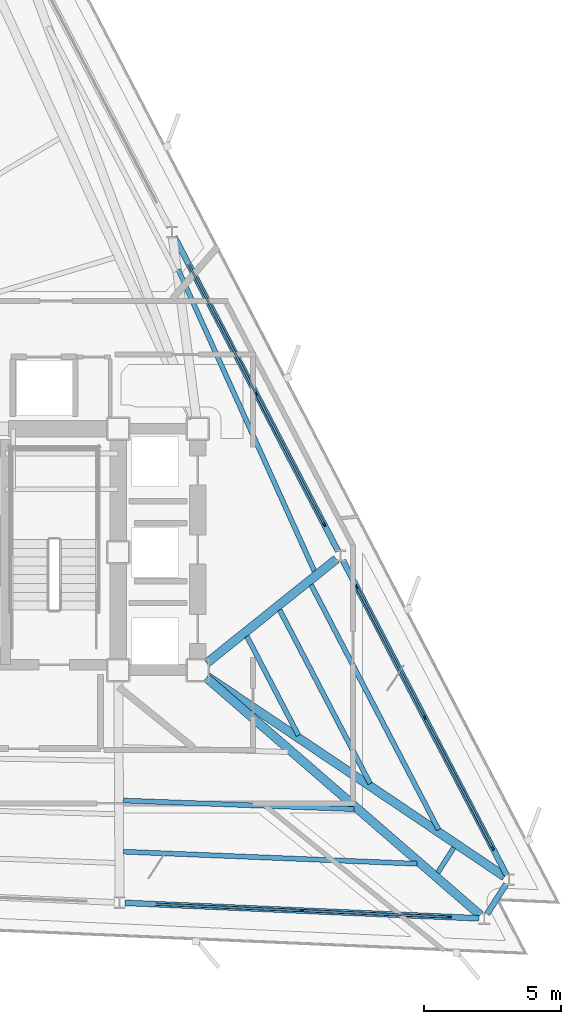
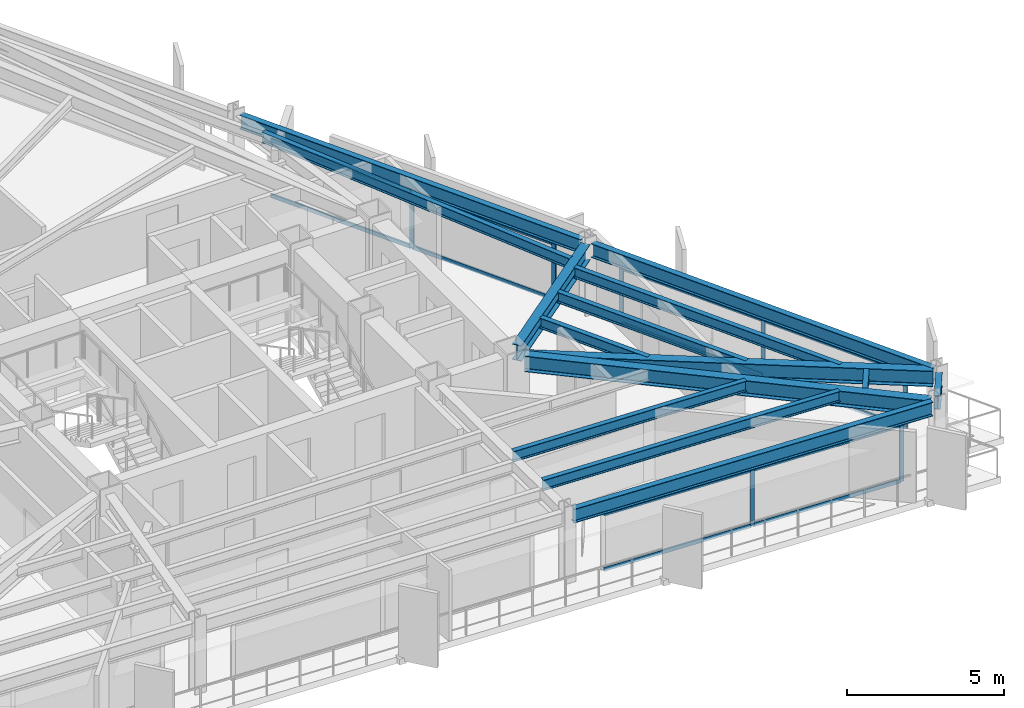
# One storey, part 5 of 12: 19 members, 14 beams, 3 elements without a shape of their own.
"""IFC4 building model written with IfcOpenShell, lengths in metres."""

from ifc_helpers import new_model, si_unit, direction, frame, origin, origin_2d, place, context, subcontext, project, spatial, rectangle, i_section, extrude, material, layer, layer_set, material_profile, profile_set, type_object, element, aggregate, save


model = new_model("IFC4")

# Units and contexts
model_context = context("Model", 3, precision=1e-05, world=origin(), true_north=direction((0.0, 1.0)))
body_context = subcontext(model_context, "Body", "Model", "MODEL_VIEW")
ifc_project = project(units=[si_unit("LENGTHUNIT", "METRE"), si_unit("AREAUNIT", "SQUARE_METRE"), si_unit("VOLUMEUNIT", "CUBIC_METRE"), si_unit("PLANEANGLEUNIT", "RADIAN"), si_unit("MASSUNIT", "GRAM", prefix="KILO")], contexts=[model_context])

# Site, building, storey
site_placement = place(None, origin())
site = spatial("IfcSite", under=ifc_project, at=site_placement, CompositionType="ELEMENT")
building_placement = place(site_placement, origin())
building = spatial("IfcBuilding", under=site, at=building_placement, Name="Rocaltana Carrier Exchange", CompositionType="ELEMENT")
storey_placement = place(building_placement, frame((0.0, 0.0, 128.9599609375)))
storey = spatial("IfcBuildingStorey", under=building, at=storey_placement, Name="L40", CompositionType="ELEMENT", Elevation=128.9599609375)

# Curtain wall, members
ifc_material_1 = material(Name="Aluminium 6063-T6", Category="aluminium")
ifc_layer = layer(ifc_material_1, 0.14990234375)
ifc_layer_set = layer_set([ifc_layer], Name="Aluminium 6063-T6")
curtain_wall_type = type_object("IfcCurtainWallType", Name="Mid-Tower Unitised Curtain Wall CW-03", PredefinedType="NOTDEFINED", material=ifc_layer_set)
curtain_wall_1_placement = place(storey_placement, origin())
curtain_wall_1 = element("IfcCurtainWall", 1, at=curtain_wall_1_placement, inside=storey, type_object=curtain_wall_type, Name="L40 CW-03 Run CW-L40-F1S1", PredefinedType="NOTDEFINED")
ifc_material_2 = material(Name="Aluminium 6063-T6", Category="aluminium")
ifc_material_profile_1 = material_profile(ifc_material_2, rectangle(XDim=0.06005859375, YDim=0.14990234375, at=origin_2d()), Name="AL-60X150")
ifc_profile_set_1 = profile_set([ifc_material_profile_1], Name="Aluminium 6063-T6")
member_type_1 = type_object("IfcMemberType", Name="CW-03 Mullion AL-60X150", PredefinedType="MULLION", material=ifc_profile_set_1)
member_1_placement = place(storey_placement, frame((19.700439453125, -10.792724609375, 0.0), z_axis=(0.0, 0.0, 1.0), x_axis=(-0.887009929614, -0.461750348962, 0.0)))
member_1 = element("IfcMember", 2, at=member_1_placement, type_object=member_type_1, Name="CW-03 mullion 1", PredefinedType="MULLION", context=body_context, shape_type="SweptSolid", body=[
    extrude(rectangle(XDim=0.06005859375, YDim=0.14990234375, at=origin_2d()), origin(), (0.0, 0.0, 1.0), 2.218017578125),
])
member_2_placement = place(storey_placement, frame((17.220947265625, -6.029541015625, 0.0), z_axis=(0.0, 0.0, 1.0), x_axis=(-0.887009929614, -0.461750348962, 0.0)))
member_2 = element("IfcMember", 3, at=member_2_placement, type_object=member_type_1, Name="CW-03 mullion 2", PredefinedType="MULLION", context=body_context, shape_type="SweptSolid", body=[
    extrude(rectangle(XDim=0.06005859375, YDim=0.14990234375, at=origin_2d()), origin(), (0.0, 0.0, 1.0), 2.218017578125),
])
member_3_placement = place(storey_placement, frame((14.7412109375, -1.266357421875, 0.0), z_axis=(0.0, 0.0, 1.0), x_axis=(-0.887009929614, -0.461750348962, 0.0)))
member_3 = element("IfcMember", 4, at=member_3_placement, type_object=member_type_1, Name="CW-03 mullion 3", PredefinedType="MULLION", context=body_context, shape_type="SweptSolid", body=[
    extrude(rectangle(XDim=0.06005859375, YDim=0.14990234375, at=origin_2d()), origin(), (0.0, 0.0, 1.0), 2.218017578125),
])

curtain_wall_2_placement = place(storey_placement, origin())
curtain_wall_2 = element("IfcCurtainWall", 5, at=curtain_wall_2_placement, inside=storey, type_object=curtain_wall_type, Name="L40 CW-03 Run CW-L40-F1S2", PredefinedType="NOTDEFINED")
member_4_placement = place(storey_placement, frame((13.55908203125, 1.00439453125, 0.0), z_axis=(0.0, 0.0, 1.0), x_axis=(-0.887011747812, -0.461746856235, 0.0)))
member_4 = element("IfcMember", 6, at=member_4_placement, type_object=member_type_1, Name="CW-03 mullion 1", PredefinedType="MULLION", context=body_context, shape_type="SweptSolid", body=[
    extrude(rectangle(XDim=0.06005859375, YDim=0.14990234375, at=origin_2d()), origin(), (0.0, 0.0, 1.0), 2.218017578125),
])
member_5_placement = place(storey_placement, frame((11.07958984375, 5.767578125, 0.0), z_axis=(0.0, 0.0, 1.0), x_axis=(-0.887011747812, -0.461746856235, 0.0)))
member_5 = element("IfcMember", 7, at=member_5_placement, type_object=member_type_1, Name="CW-03 mullion 2", PredefinedType="MULLION", context=body_context, shape_type="SweptSolid", body=[
    extrude(rectangle(XDim=0.06005859375, YDim=0.14990234375, at=origin_2d()), origin(), (0.0, 0.0, 1.0), 2.218017578125),
])

curtain_wall_3_placement = place(storey_placement, origin())
curtain_wall_3 = element("IfcCurtainWall", 8, at=curtain_wall_3_placement, inside=storey, type_object=curtain_wall_type, Name="L40 CW-03 Run CW-L40-F3S3", PredefinedType="NOTDEFINED")
member_6_placement = place(storey_placement, frame((12.742431640625, -13.05908203125, 0.0), z_axis=(0.0, 0.0, 1.0), x_axis=(0.043629290456, 0.999047789154, 0.0)))
member_6 = element("IfcMember", 9, at=member_6_placement, type_object=member_type_1, Name="CW-03 mullion 2", PredefinedType="MULLION", context=body_context, shape_type="SweptSolid", body=[
    extrude(rectangle(XDim=0.06005859375, YDim=0.14990234375, at=origin_2d()), origin(), (0.0, 0.0, 1.0), 2.218017578125),
])
member_7_placement = place(storey_placement, frame((18.107421875, -13.29345703125, 0.0), z_axis=(0.0, 0.0, 1.0), x_axis=(0.043629290456, 0.999047789154, 0.0)))
member_7 = element("IfcMember", 10, at=member_7_placement, type_object=member_type_1, Name="CW-03 mullion 3", PredefinedType="MULLION", context=body_context, shape_type="SweptSolid", body=[
    extrude(rectangle(XDim=0.06005859375, YDim=0.14990234375, at=origin_2d()), origin(), (0.0, 0.0, 1.0), 2.218017578125),
])

# Member
ifc_material_3 = material(Name="Aluminium 6063-T6", Category="aluminium")
ifc_material_profile_2 = material_profile(ifc_material_3, rectangle(XDim=0.06005859375, YDim=0.14990234375, at=origin_2d()), Name="AL-60X150")
ifc_profile_set_2 = profile_set([ifc_material_profile_2], Name="Aluminium 6063-T6")
member_type_2 = type_object("IfcMemberType", Name="CW-03 Transom AL-60X150", PredefinedType="USERDEFINED", material=ifc_profile_set_2)
member_8_placement = place(storey_placement, frame((19.6865234375, -10.76611328125, 0.030029296875), z_axis=(-0.461756588365, 0.887006681543, 0.0), x_axis=(-0.887006681543, -0.461756588365, 0.0)))
member_8 = element("IfcMember", 11, at=member_8_placement, type_object=member_type_2, Name="CW-03 transom 1.1", ObjectType="TRANSOM", PredefinedType="USERDEFINED", context=body_context, shape_type="SweptSolid", body=[
    extrude(rectangle(XDim=0.06005859375, YDim=0.14990234375, at=origin_2d()), origin(), (0.0, 0.0, 1.0), 5.31005859375),
])

member_9_placement = place(storey_placement, frame((19.6865234375, -10.76611328125, 2.18798828125), z_axis=(-0.461756588365, 0.887006681543, 0.0), x_axis=(-0.887006681543, -0.461756588365, 0.0)))
member_9 = element("IfcMember", 12, at=member_9_placement, type_object=member_type_2, Name="CW-03 transom 1.2", ObjectType="TRANSOM", PredefinedType="USERDEFINED", context=body_context, shape_type="SweptSolid", body=[
    extrude(rectangle(XDim=0.06005859375, YDim=0.14990234375, at=origin_2d()), origin(), (0.0, 0.0, 1.0), 5.31005859375),
])

member_10_placement = place(storey_placement, frame((17.20703125, -6.0029296875, 0.030029296875), z_axis=(-0.461756588365, 0.887006681543, 0.0), x_axis=(-0.887006681543, -0.461756588365, 0.0)))
member_10 = element("IfcMember", 13, at=member_10_placement, type_object=member_type_2, Name="CW-03 transom 2.1", ObjectType="TRANSOM", PredefinedType="USERDEFINED", context=body_context, shape_type="SweptSolid", body=[
    extrude(rectangle(XDim=0.06005859375, YDim=0.14990234375, at=origin_2d()), origin(), (0.0, 0.0, 1.0), 5.31005859375),
])

member_11_placement = place(storey_placement, frame((17.20703125, -6.0029296875, 2.18798828125), z_axis=(-0.461756588365, 0.887006681543, 0.0), x_axis=(-0.887006681543, -0.461756588365, 0.0)))
member_11 = element("IfcMember", 14, at=member_11_placement, type_object=member_type_2, Name="CW-03 transom 2.2", ObjectType="TRANSOM", PredefinedType="USERDEFINED", context=body_context, shape_type="SweptSolid", body=[
    extrude(rectangle(XDim=0.06005859375, YDim=0.14990234375, at=origin_2d()), origin(), (0.0, 0.0, 1.0), 5.31005859375),
])

aggregate(curtain_wall_1, [member_1, member_2, member_3, member_8, member_9, member_10, member_11])

member_12_placement = place(storey_placement, frame((13.54541015625, 1.031005859375, 0.030029296875), z_axis=(-0.461737757324, 0.887016484323, 0.0), x_axis=(-0.887016484323, -0.461737757324, 0.0)))
member_12 = element("IfcMember", 15, at=member_12_placement, type_object=member_type_2, Name="CW-03 transom 1.1", ObjectType="TRANSOM", PredefinedType="USERDEFINED", context=body_context, shape_type="SweptSolid", body=[
    extrude(rectangle(XDim=0.06005859375, YDim=0.14990234375, at=origin_2d()), origin(), (0.0, 0.0, 1.0), 5.31005859375),
])

member_13_placement = place(storey_placement, frame((13.54541015625, 1.031005859375, 2.18798828125), z_axis=(-0.461737757324, 0.887016484323, 0.0), x_axis=(-0.887016484323, -0.461737757324, 0.0)))
member_13 = element("IfcMember", 16, at=member_13_placement, type_object=member_type_2, Name="CW-03 transom 1.2", ObjectType="TRANSOM", PredefinedType="USERDEFINED", context=body_context, shape_type="SweptSolid", body=[
    extrude(rectangle(XDim=0.06005859375, YDim=0.14990234375, at=origin_2d()), origin(), (0.0, 0.0, 1.0), 5.31005859375),
])

member_14_placement = place(storey_placement, frame((11.065673828125, 5.794189453125, 0.030029296875), z_axis=(-0.461701582275, 0.887035314362, 0.0), x_axis=(-0.887035314362, -0.461701582275, 0.0)))
member_14 = element("IfcMember", 17, at=member_14_placement, type_object=member_type_2, Name="CW-03 transom 2.1", ObjectType="TRANSOM", PredefinedType="USERDEFINED", context=body_context, shape_type="SweptSolid", body=[
    extrude(rectangle(XDim=0.06005859375, YDim=0.14990234375, at=origin_2d()), origin(), (0.0, 0.0, 1.0), 5.31005859375),
])

member_15_placement = place(storey_placement, frame((11.065673828125, 5.794189453125, 2.18798828125), z_axis=(-0.461701582275, 0.887035314362, 0.0), x_axis=(-0.887035314362, -0.461701582275, 0.0)))
member_15 = element("IfcMember", 18, at=member_15_placement, type_object=member_type_2, Name="CW-03 transom 2.2", ObjectType="TRANSOM", PredefinedType="USERDEFINED", context=body_context, shape_type="SweptSolid", body=[
    extrude(rectangle(XDim=0.06005859375, YDim=0.14990234375, at=origin_2d()), origin(), (0.0, 0.0, 1.0), 5.31005859375),
])

aggregate(curtain_wall_2, [member_4, member_5, member_12, member_13, member_14, member_15])

member_16_placement = place(storey_placement, frame((7.407470703125, -12.826171875, 0.030029296875), z_axis=(0.999047725225, -0.043630754314, 0.0), x_axis=(0.043630754314, 0.999047725225, 0.0)))
member_16 = element("IfcMember", 19, at=member_16_placement, type_object=member_type_2, Name="CW-03 transom 1.1", ObjectType="TRANSOM", PredefinedType="USERDEFINED", context=body_context, shape_type="SweptSolid", body=[
    extrude(rectangle(XDim=0.06005859375, YDim=0.14990234375, at=origin_2d()), origin(), (0.0, 0.0, 1.0), 5.310302734375),
])

member_17_placement = place(storey_placement, frame((7.407470703125, -12.826171875, 2.18798828125), z_axis=(0.999047725225, -0.043630754314, 0.0), x_axis=(0.043630754314, 0.999047725225, 0.0)))
member_17 = element("IfcMember", 20, at=member_17_placement, type_object=member_type_2, Name="CW-03 transom 1.2", ObjectType="TRANSOM", PredefinedType="USERDEFINED", context=body_context, shape_type="SweptSolid", body=[
    extrude(rectangle(XDim=0.06005859375, YDim=0.14990234375, at=origin_2d()), origin(), (0.0, 0.0, 1.0), 5.310302734375),
])

member_18_placement = place(storey_placement, frame((12.7724609375, -13.060546875, 0.030029296875), z_axis=(0.999047637698, -0.043632758442, 0.0), x_axis=(0.043632758442, 0.999047637698, 0.0)))
member_18 = element("IfcMember", 21, at=member_18_placement, type_object=member_type_2, Name="CW-03 transom 2.1", ObjectType="TRANSOM", PredefinedType="USERDEFINED", context=body_context, shape_type="SweptSolid", body=[
    extrude(rectangle(XDim=0.06005859375, YDim=0.14990234375, at=origin_2d()), origin(), (0.0, 0.0, 1.0), 5.31005859375),
])

member_19_placement = place(storey_placement, frame((12.7724609375, -13.060546875, 2.18798828125), z_axis=(0.999047637698, -0.043632758442, 0.0), x_axis=(0.043632758442, 0.999047637698, 0.0)))
member_19 = element("IfcMember", 22, at=member_19_placement, type_object=member_type_2, Name="CW-03 transom 2.2", ObjectType="TRANSOM", PredefinedType="USERDEFINED", context=body_context, shape_type="SweptSolid", body=[
    extrude(rectangle(XDim=0.06005859375, YDim=0.14990234375, at=origin_2d()), origin(), (0.0, 0.0, 1.0), 5.31005859375),
])

aggregate(curtain_wall_3, [member_6, member_7, member_16, member_17, member_18, member_19])

# Beams
ifc_material_4 = material(Name="Steel S355", Category="steel")
ifc_material_profile_3 = material_profile(ifc_material_4, i_section(OverallWidth=0.179931640625, OverallDepth=0.4130859375, WebThickness=0.009765625, FlangeThickness=0.01611328125, FilletRadius=0.012939453125, at=origin_2d()), Name="W16X50")
ifc_profile_set_3 = profile_set([ifc_material_profile_3], Name="Steel S355")
beam_type_1 = type_object("IfcBeamType", Name="Floor Joist W16X50", PredefinedType="JOIST", material=ifc_profile_set_3)
beam_1_placement = place(storey_placement, frame((12.62060546875, -6.678955078125, 2.58154296875), z_axis=(-0.461741088253, 0.887014750395, 0.0), x_axis=(-0.887014750395, -0.461741088253, 0.0)))
element("IfcBeam", 23, at=beam_1_placement, inside=storey, type_object=beam_type_1, Name="FJ-L40-01-1", PredefinedType="JOIST", context=body_context, shape_type="SweptSolid", body=[
    extrude(i_section(OverallWidth=0.179931640625, OverallDepth=0.4130859375, WebThickness=0.009765625, FlangeThickness=0.01611328125, FilletRadius=0.012939453125, at=origin_2d()), origin(), (0.0, 0.0, 1.0), 4.0771484375),
])
beam_2_placement = place(storey_placement, frame((15.229248046875, -8.433349609375, 2.58154296875), z_axis=(-0.461769572887, 0.886999921959, 0.0), x_axis=(-0.886999921959, -0.461769572887, 0.0)))
element("IfcBeam", 24, at=beam_2_placement, inside=storey, type_object=beam_type_1, Name="FJ-L40-01-2", PredefinedType="JOIST", context=body_context, shape_type="SweptSolid", body=[
    extrude(i_section(OverallWidth=0.179931640625, OverallDepth=0.4130859375, WebThickness=0.009765625, FlangeThickness=0.01611328125, FilletRadius=0.012939453125, at=origin_2d()), origin(), (0.0, 0.0, 1.0), 7.135986328125),
])
beam_3_placement = place(storey_placement, frame((17.724365234375, -10.111572265625, 2.58154296875), z_axis=(-0.461760646449, 0.88700456898, 0.0), x_axis=(-0.88700456898, -0.461760646449, 0.0)))
element("IfcBeam", 25, at=beam_3_placement, inside=storey, type_object=beam_type_1, Name="FJ-L40-01-3", PredefinedType="JOIST", context=body_context, shape_type="SweptSolid", body=[
    extrude(i_section(OverallWidth=0.179931640625, OverallDepth=0.4130859375, WebThickness=0.009765625, FlangeThickness=0.01611328125, FilletRadius=0.012939453125, at=origin_2d()), origin(), (0.0, 0.0, 1.0), 10.06201171875),
])
beam_4_placement = place(storey_placement, frame((13.201904296875, -0.697509765625, 2.58154296875), z_axis=(-0.41154987929, 0.911387237598, 0.0), x_axis=(-0.911387237598, -0.41154987929, 0.0)))
element("IfcBeam", 26, at=beam_4_placement, inside=storey, type_object=beam_type_1, Name="FJ-L40-02-3", PredefinedType="JOIST", context=body_context, shape_type="SweptSolid", body=[
    extrude(i_section(OverallWidth=0.179931640625, OverallDepth=0.4130859375, WebThickness=0.009765625, FlangeThickness=0.01611328125, FilletRadius=0.012939453125, at=origin_2d()), origin(), (0.0, 0.0, 1.0), 12.0732421875),
])
beam_5_placement = place(storey_placement, frame((6.233154296875, -9.048583984375, 2.58154296875), z_axis=(0.999306338381, -0.037240328574, 0.0), x_axis=(0.037240328574, 0.999306338381, 0.0)))
element("IfcBeam", 27, at=beam_5_placement, inside=storey, type_object=beam_type_1, Name="FJ-L40-11-2", PredefinedType="JOIST", context=body_context, shape_type="SweptSolid", body=[
    extrude(i_section(OverallWidth=0.179931640625, OverallDepth=0.4130859375, WebThickness=0.009765625, FlangeThickness=0.01611328125, FilletRadius=0.012939453125, at=origin_2d()), origin(), (0.0, 0.0, 1.0), 8.4111328125),
])
beam_6_placement = place(storey_placement, frame((6.243896484375, -10.912353515625, 2.58154296875), z_axis=(0.999155233616, -0.041095244719, 0.0), x_axis=(0.041095244719, 0.999155233616, 0.0)))
element("IfcBeam", 28, at=beam_6_placement, inside=storey, type_object=beam_type_1, Name="FJ-L40-11-3", PredefinedType="JOIST", context=body_context, shape_type="SweptSolid", body=[
    extrude(i_section(OverallWidth=0.179931640625, OverallDepth=0.4130859375, WebThickness=0.009765625, FlangeThickness=0.01611328125, FilletRadius=0.012939453125, at=origin_2d()), origin(), (0.0, 0.0, 1.0), 10.699462890625),
])
beam_7_placement = place(storey_placement, frame((17.69580078125, -11.67919921875, 2.58154296875), z_axis=(0.537311646576, 0.843383776495, 0.0), x_axis=(-0.843383776495, 0.537311646576, 0.0)))
element("IfcBeam", 29, at=beam_7_placement, inside=storey, type_object=beam_type_1, Name="FJ-L40-12-3", PredefinedType="JOIST", context=body_context, shape_type="SweptSolid", body=[
    extrude(i_section(OverallWidth=0.179931640625, OverallDepth=0.4130859375, WebThickness=0.009765625, FlangeThickness=0.01611328125, FilletRadius=0.012939453125, at=origin_2d()), origin(), (0.0, 0.0, 1.0), 1.08642578125),
])
ifc_material_5 = material(Name="Steel S355", Category="steel")
ifc_material_profile_4 = material_profile(ifc_material_5, i_section(OverallWidth=0.323974609375, OverallDepth=0.611083984375, WebThickness=0.0126953125, FlangeThickness=0.01904296875, FilletRadius=0.01611328125, at=origin_2d()), Name="W24X104")
ifc_profile_set_4 = profile_set([ifc_material_profile_4], Name="Steel S355")
beam_type_2 = type_object("IfcBeamType", Name="Radial Girder W24X104", PredefinedType="BEAM", material=ifc_profile_set_4)
beam_8_placement = place(storey_placement, frame((9.2958984375, -4.53271484375, 2.482421875), z_axis=(0.829776429239, -0.558095939314, 0.0), x_axis=(0.558095939314, 0.829776429239, 0.0)))
element("IfcBeam", 30, at=beam_8_placement, inside=storey, type_object=beam_type_2, Name="RG-L40-01", PredefinedType="BEAM", context=body_context, shape_type="SweptSolid", body=[
    extrude(i_section(OverallWidth=0.323974609375, OverallDepth=0.611083984375, WebThickness=0.0126953125, FlangeThickness=0.01904296875, FilletRadius=0.01611328125, at=origin_2d()), origin(), (0.0, 0.0, 1.0), 13.05615234375),
])
beam_9_placement = place(storey_placement, frame((9.275390625, -4.039306640625, 2.482421875), z_axis=(0.780203362819, 0.625525948819, 0.0), x_axis=(-0.625525948819, 0.780203362819, 0.0)))
element("IfcBeam", 31, at=beam_9_placement, inside=storey, type_object=beam_type_2, Name="RG-L40-02", PredefinedType="BEAM", context=body_context, shape_type="SweptSolid", body=[
    extrude(i_section(OverallWidth=0.323974609375, OverallDepth=0.611083984375, WebThickness=0.0126953125, FlangeThickness=0.01904296875, FilletRadius=0.01611328125, at=origin_2d()), origin(), (0.0, 0.0, 1.0), 6.05322265625),
])
beam_10_placement = place(storey_placement, frame((9.26513671875, -4.5732421875, 2.482421875), z_axis=(0.755523694859, -0.655121321976, 0.0), x_axis=(0.655121321976, 0.755523694859, 0.0)))
element("IfcBeam", 32, at=beam_10_placement, inside=storey, type_object=beam_type_2, Name="RG-L40-12", PredefinedType="BEAM", context=body_context, shape_type="SweptSolid", body=[
    extrude(i_section(OverallWidth=0.323974609375, OverallDepth=0.611083984375, WebThickness=0.0126953125, FlangeThickness=0.01904296875, FilletRadius=0.01611328125, at=origin_2d()), origin(), (0.0, 0.0, 1.0), 13.201171875),
])
ifc_material_6 = material(Name="Steel S355", Category="steel")
ifc_material_profile_5 = material_profile(ifc_material_6, i_section(OverallWidth=0.2119140625, OverallDepth=0.5439453125, WebThickness=0.01318359375, FlangeThickness=0.021240234375, FilletRadius=0.014892578125, at=origin_2d()), Name="W21X83")
ifc_profile_set_5 = profile_set([ifc_material_profile_5], Name="Steel S355")
beam_type_3 = type_object("IfcBeamType", Name="Spandrel Edge Beam W21X83", PredefinedType="SPANDREL", material=ifc_profile_set_5)
beam_11_placement = place(storey_placement, frame((20.201416015625, -11.755126953125, 2.51611328125), z_axis=(-0.461753420073, 0.88700833088, 0.0), x_axis=(-0.88700833088, -0.461753420073, 0.0)))
element("IfcBeam", 33, at=beam_11_placement, inside=storey, type_object=beam_type_3, Name="SP-L40-01", PredefinedType="SPANDREL", context=body_context, shape_type="SweptSolid", body=[
    extrude(i_section(OverallWidth=0.2119140625, OverallDepth=0.5439453125, WebThickness=0.01318359375, FlangeThickness=0.021240234375, FilletRadius=0.014892578125, at=origin_2d()), origin(), (0.0, 0.0, 1.0), 12.909912109375),
])
beam_12_placement = place(storey_placement, frame((14.060302734375, 0.0419921875, 2.51611328125), z_axis=(-0.461745674575, 0.887012362942, 0.0), x_axis=(-0.887012362942, -0.461745674575, 0.0)))
element("IfcBeam", 34, at=beam_12_placement, inside=storey, type_object=beam_type_3, Name="SP-L40-02", PredefinedType="SPANDREL", context=body_context, shape_type="SweptSolid", body=[
    extrude(i_section(OverallWidth=0.2119140625, OverallDepth=0.5439453125, WebThickness=0.01318359375, FlangeThickness=0.021240234375, FilletRadius=0.014892578125, at=origin_2d()), origin(), (0.0, 0.0, 1.0), 12.91015625),
])
beam_13_placement = place(storey_placement, frame((6.293701171875, -12.777587890625, 2.51611328125), z_axis=(0.999047862202, -0.04362761775, 0.0), x_axis=(0.04362761775, 0.999047862202, 0.0)))
element("IfcBeam", 35, at=beam_13_placement, inside=storey, type_object=beam_type_3, Name="SP-L40-11", PredefinedType="SPANDREL", context=body_context, shape_type="SweptSolid", body=[
    extrude(i_section(OverallWidth=0.2119140625, OverallDepth=0.5439453125, WebThickness=0.01318359375, FlangeThickness=0.021240234375, FilletRadius=0.014892578125, at=origin_2d()), origin(), (0.0, 0.0, 1.0), 12.909912109375),
])
beam_14_placement = place(storey_placement, frame((19.490966796875, -13.184814453125, 2.51611328125), z_axis=(0.537351203855, 0.84335857363, 0.0), x_axis=(-0.84335857363, 0.537351203855, 0.0)))
element("IfcBeam", 36, at=beam_14_placement, inside=storey, type_object=beam_type_3, Name="SP-L40-12", PredefinedType="SPANDREL", context=body_context, shape_type="SweptSolid", body=[
    extrude(i_section(OverallWidth=0.2119140625, OverallDepth=0.5439453125, WebThickness=0.01318359375, FlangeThickness=0.021240234375, FilletRadius=0.014892578125, at=origin_2d()), origin(), (0.0, 0.0, 1.0), 1.294921875),
])

save(model, "model.ifc")
